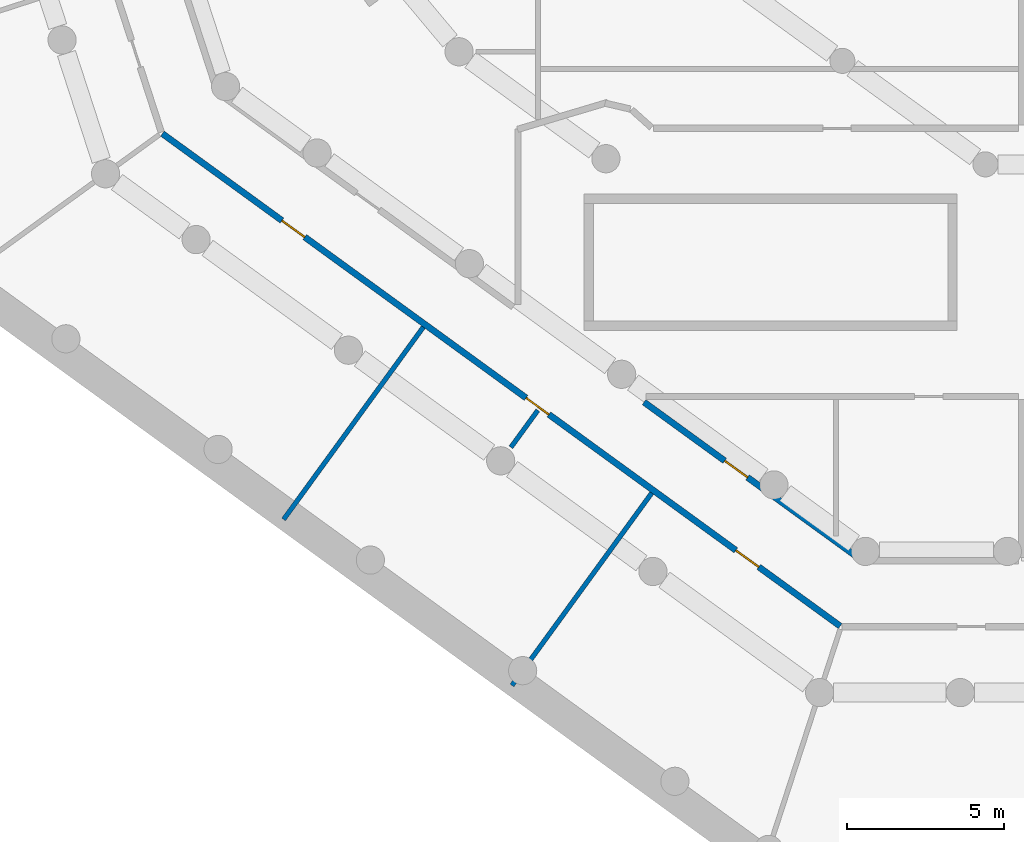
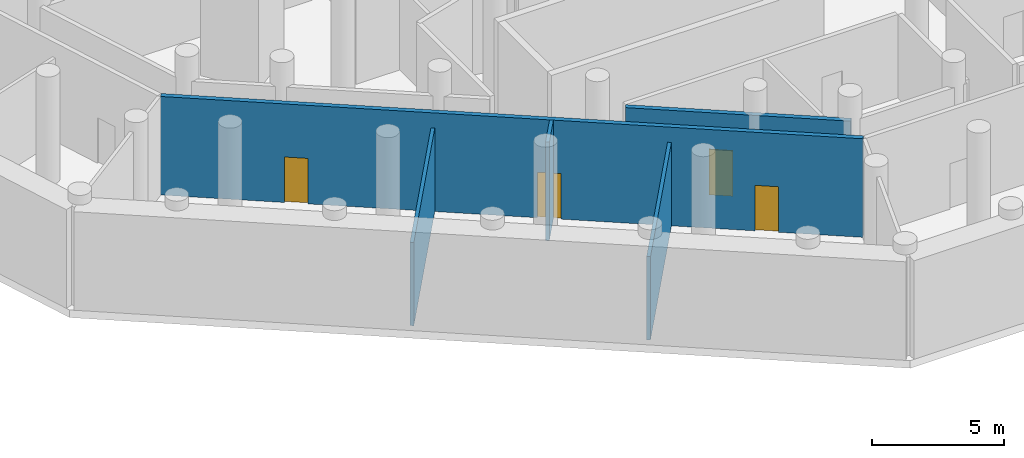
# One storey, part 3 of 10: 5 walls, 4 doors, 4 openings.
"""IFC4 building model written with IfcOpenShell, lengths in metres."""

from ifc_helpers import new_model, si_unit, direction, frame, frame_2d, origin, place, context, subcontext, project, spatial, rectangle, extrude, material, layer, layer_set, type_object, element, fill, save


model = new_model("IFC4")

# Units and contexts
model_context = context("Model", 3, precision=1e-05, world=origin(), true_north=direction((0.0, 1.0)))
body_context = subcontext(model_context, "Body", "Model", "MODEL_VIEW")
ifc_project = project(units=[si_unit("LENGTHUNIT", "METRE"), si_unit("AREAUNIT", "SQUARE_METRE"), si_unit("VOLUMEUNIT", "CUBIC_METRE"), si_unit("PLANEANGLEUNIT", "RADIAN"), si_unit("MASSUNIT", "GRAM", prefix="KILO")], contexts=[model_context])

# Site, building, storey
site_placement = place(None, origin())
site = spatial("IfcSite", under=ifc_project, at=site_placement, CompositionType="ELEMENT")
building_placement = place(site_placement, origin())
building = spatial("IfcBuilding", under=site, at=building_placement, Name="White Candle Pilgrim Tower", CompositionType="ELEMENT")
storey_placement = place(building_placement, frame((0.0, 0.0, -5.0)))
storey = spatial("IfcBuildingStorey", under=building, at=storey_placement, Name="B1", CompositionType="ELEMENT", Elevation=-5.0)

# Wall, openings, doors
ifc_material_1 = material(Name="Gypsum board on steel studs", Category="steel")
ifc_layer_1 = layer(ifc_material_1, 0.199951171875)
ifc_layer_set_1 = layer_set([ifc_layer_1], Name="Corridor wall 200 mm EI 45")
wall_type_1 = type_object("IfcWallType", Name="Corridor wall 200 mm EI 45", PredefinedType="PARTITIONING", material=ifc_layer_set_1)
wall_1_placement = place(storey_placement, frame((63.170166015625, 31.880126953125, 0.0), z_axis=(0.0, 0.0, 1.0), x_axis=(-0.809016646189, 0.587785731529, 0.0)))
wall_1 = element("IfcWall", 1, at=wall_1_placement, inside=storey, type_object=wall_type_1, Name="WL-B1-P023", PredefinedType="PARTITIONING", context=body_context, shape_type="SweptSolid", body=[
    extrude(rectangle(XDim=26.708251953125, YDim=0.199951171875, at=frame_2d((13.35400390625, 0.0))), origin(), (0.0, 0.0, 1.0), 4.550048828125),
])
opening_1_placement = place(wall_1_placement, frame((21.097412109375, 0.0, 0.0)))
opening_1 = element("IfcOpeningElement", 2, at=opening_1_placement, cuts=wall_1, Name="Opening B1-107", PredefinedType="OPENING", context=body_context, shape_type="SweptSolid", body=[
    extrude(rectangle(XDim=0.89990234375, YDim=2.10009765625, at=frame_2d((0.449951171875, 1.050048828125))), frame((0.0, 0.10986328125, 0.0), z_axis=(0.0, -1.0, 0.0), x_axis=(1.0, 0.0, 0.0)), (0.0, 0.0, 1.0), 0.219970703125),
])
opening_2_placement = place(wall_1_placement, frame((11.47900390625, 0.0, 0.0)))
opening_2 = element("IfcOpeningElement", 3, at=opening_2_placement, cuts=wall_1, Name="Opening B1-108", PredefinedType="OPENING", context=body_context, shape_type="SweptSolid", body=[
    extrude(rectangle(XDim=0.89990234375, YDim=2.10009765625, at=frame_2d((0.449951171875, 1.050048828125))), frame((0.0, 0.10986328125, 0.0), z_axis=(0.0, -1.0, 0.0), x_axis=(1.0, 0.0, 0.0)), (0.0, 0.0, 1.0), 0.219970703125),
])
opening_3_placement = place(wall_1_placement, frame((3.210693359375, 0.0, 0.0)))
opening_3 = element("IfcOpeningElement", 4, at=opening_3_placement, cuts=wall_1, Name="Opening B1-109", PredefinedType="OPENING", context=body_context, shape_type="SweptSolid", body=[
    extrude(rectangle(XDim=0.89990234375, YDim=2.10009765625, at=frame_2d((0.449951171875, 1.050048828125))), frame((0.0, 0.10986328125, 0.0), z_axis=(0.0, -1.0, 0.0), x_axis=(1.0, 0.0, 0.0)), (0.0, 0.0, 1.0), 0.219970703125),
])
ifc_material_2 = material(Name="Steel door leaf", Category="steel")
door_type = type_object("IfcDoorType", Name="Fire door 900 x 2100 EI 30", OperationType="NOTDEFINED", PredefinedType="DOOR", material=ifc_material_2)
door_1_placement = place(opening_1_placement, origin())
door_1 = element("IfcDoor", 5, at=door_1_placement, inside=storey, type_object=door_type, Name="Door B1-107", OperationType="SINGLE_SWING_LEFT", OverallHeight=2.10009765625, OverallWidth=0.89990234375, PredefinedType="DOOR", context=body_context, shape_type="SweptSolid", body=[
    extrude(rectangle(XDim=0.89990234375, YDim=2.10009765625, at=frame_2d((0.449951171875, 1.050048828125))), frame((0.0, 0.02490234375, 0.0), z_axis=(0.0, -1.0, 0.0), x_axis=(1.0, 0.0, 0.0)), (0.0, 0.0, 1.0), 0.050048828125),
])
fill(opening_1, door_1)
door_2_placement = place(opening_2_placement, frame((0.89990234375, 0.0, 0.0), z_axis=(0.0, 0.0, 1.0), x_axis=(-1.0, 0.0, 0.0)))
door_2 = element("IfcDoor", 6, at=door_2_placement, inside=storey, type_object=door_type, Name="Door B1-108", OperationType="SINGLE_SWING_LEFT", OverallHeight=2.10009765625, OverallWidth=0.89990234375, PredefinedType="DOOR", context=body_context, shape_type="SweptSolid", body=[
    extrude(rectangle(XDim=0.89990234375, YDim=2.10009765625, at=frame_2d((0.449951171875, 1.050048828125))), frame((0.0, 0.02490234375, 0.0), z_axis=(0.0, -1.0, 0.0), x_axis=(1.0, 0.0, 0.0)), (0.0, 0.0, 1.0), 0.050048828125),
])
fill(opening_2, door_2)
door_3_placement = place(opening_3_placement, origin())
door_3 = element("IfcDoor", 7, at=door_3_placement, inside=storey, type_object=door_type, Name="Door B1-109", OperationType="SINGLE_SWING_LEFT", OverallHeight=2.10009765625, OverallWidth=0.89990234375, PredefinedType="DOOR", context=body_context, shape_type="SweptSolid", body=[
    extrude(rectangle(XDim=0.89990234375, YDim=2.10009765625, at=frame_2d((0.449951171875, 1.050048828125))), frame((0.0, 0.02490234375, 0.0), z_axis=(0.0, -1.0, 0.0), x_axis=(1.0, 0.0, 0.0)), (0.0, 0.0, 1.0), 0.050048828125),
])
fill(opening_3, door_3)

# Wall, opening, door
wall_2_placement = place(storey_placement, frame((56.9169921875, 39.01904296875, 0.0), z_axis=(0.0, 0.0, 1.0), x_axis=(0.809015553327, -0.58778723572, 0.0)))
wall_2 = element("IfcWall", 8, at=wall_2_placement, inside=storey, type_object=wall_type_1, Name="WL-B1-P057", PredefinedType="PARTITIONING", context=body_context, shape_type="SweptSolid", body=[
    extrude(rectangle(XDim=8.572509765625, YDim=0.199951171875, at=frame_2d((4.2861328125, 0.0))), origin(), (0.0, 0.0, 1.0), 3.85009765625),
])
opening_4_placement = place(wall_2_placement, frame((3.17919921875, 0.0, 0.0)))
opening_4 = element("IfcOpeningElement", 9, at=opening_4_placement, cuts=wall_2, Name="Opening B1-135", PredefinedType="OPENING", context=body_context, shape_type="SweptSolid", body=[
    extrude(rectangle(XDim=0.89990234375, YDim=2.10009765625, at=frame_2d((0.449951171875, 1.050048828125))), frame((0.0, 0.10986328125, 0.0), z_axis=(0.0, -1.0, 0.0), x_axis=(1.0, 0.0, 0.0)), (0.0, 0.0, 1.0), 0.219970703125),
])
door_4_placement = place(opening_4_placement, origin())
door_4 = element("IfcDoor", 10, at=door_4_placement, inside=storey, type_object=door_type, Name="Door B1-135", OperationType="SINGLE_SWING_LEFT", OverallHeight=2.10009765625, OverallWidth=0.89990234375, PredefinedType="DOOR", context=body_context, shape_type="SweptSolid", body=[
    extrude(rectangle(XDim=0.89990234375, YDim=2.10009765625, at=frame_2d((0.449951171875, 1.050048828125))), frame((0.0, 0.02490234375, 0.0), z_axis=(0.0, -1.0, 0.0), x_axis=(1.0, 0.0, 0.0)), (0.0, 0.0, 1.0), 0.050048828125),
])
fill(opening_4, door_4)

# Walls
ifc_layer_2 = layer(ifc_material_1, 0.14990234375)
ifc_layer_set_2 = layer_set([ifc_layer_2], Name="Partition 150 mm EI 60")
wall_type_2 = type_object("IfcWallType", Name="Partition 150 mm EI 60", PredefinedType="PARTITIONING", material=ifc_layer_set_2)
wall_3_placement = place(storey_placement, frame((45.42529296875, 35.279541015625, 0.0), z_axis=(0.0, 0.0, 1.0), x_axis=(0.587779028788, 0.809021515979, 0.0)))
element("IfcWall", 11, at=wall_3_placement, inside=storey, type_object=wall_type_2, Name="WL-B1-P069", PredefinedType="PARTITIONING", context=body_context, shape_type="SweptSolid", body=[
    extrude(rectangle(XDim=7.579833984375, YDim=0.14990234375, at=frame_2d((3.7900390625, 0.0))), origin(), (0.0, 0.0, 1.0), 3.85009765625),
])
wall_4_placement = place(storey_placement, frame((52.706298828125, 29.989501953125, 0.0), z_axis=(0.0, 0.0, 1.0), x_axis=(0.587800109381, 0.80900619986, 0.0)))
element("IfcWall", 12, at=wall_4_placement, inside=storey, type_object=wall_type_2, Name="WL-B1-P070", PredefinedType="PARTITIONING", context=body_context, shape_type="SweptSolid", body=[
    extrude(rectangle(XDim=7.580078125, YDim=0.14990234375, at=frame_2d((3.7900390625, 0.0))), origin(), (0.0, 0.0, 1.0), 3.85009765625),
])
wall_5_placement = place(storey_placement, frame((52.672607421875, 37.5791015625, 0.0), z_axis=(0.0, 0.0, 1.0), x_axis=(0.58775391966, 0.809039757938, 0.0)))
element("IfcWall", 13, at=wall_5_placement, inside=storey, type_object=wall_type_2, Name="WL-B1-P099", PredefinedType="PARTITIONING", context=body_context, shape_type="SweptSolid", body=[
    extrude(rectangle(XDim=1.459716796875, YDim=0.14990234375, at=frame_2d((0.72998046875, 0.0))), origin(), (0.0, 0.0, 1.0), 4.550048828125),
])

save(model, "model.ifc")
